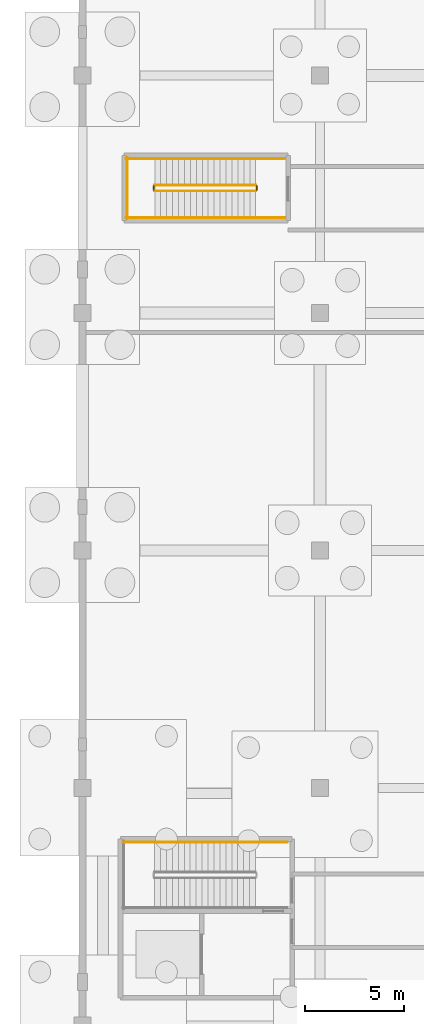
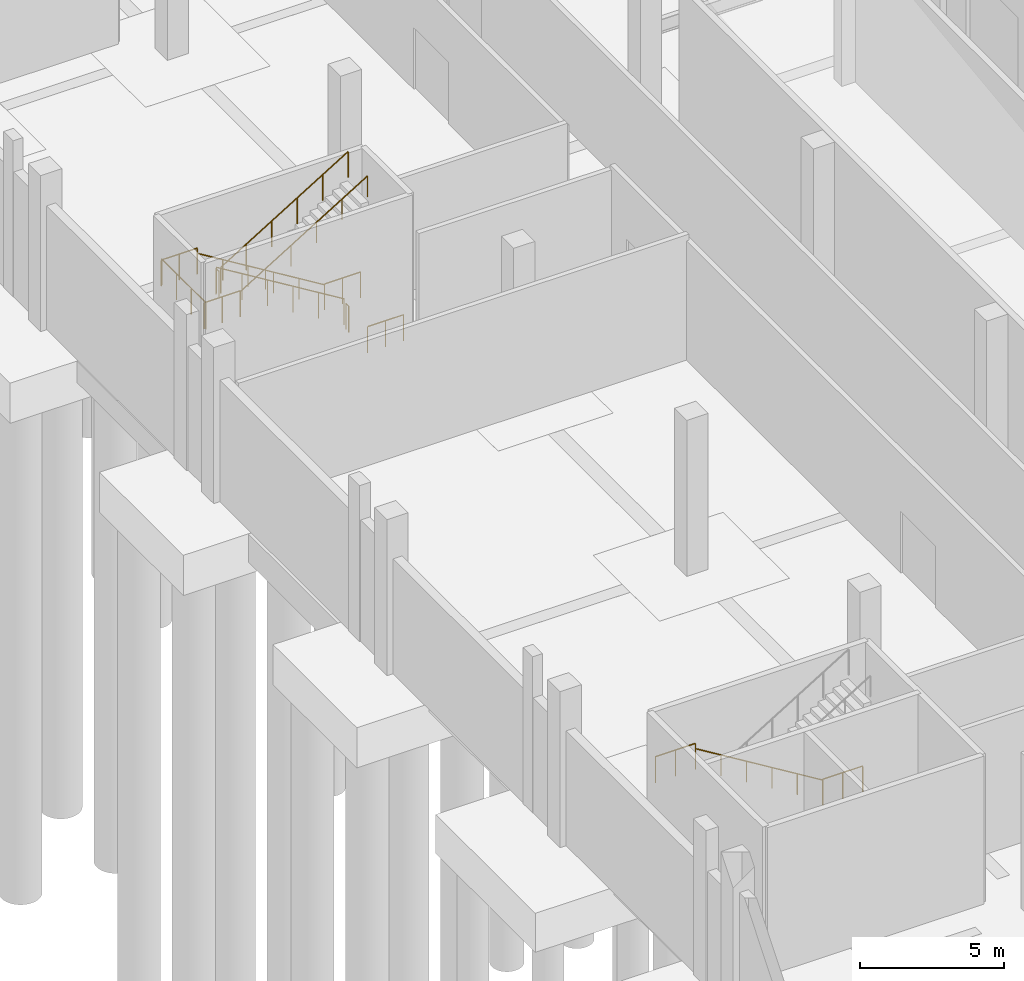
# One storey, part 104 of 117: 14 railings.
"""IFC4 building model written with IfcOpenShell, lengths in metres."""

import ifcopenshell
import ifcopenshell.guid

model = None  # the IFC model being written
_history = None  # IfcOwnerHistory: only IFC2X3 demands one
_inside = {}  # id of a spatial element -> (the spatial element, [elements in it])
_under = {}  # id of a project, library or spatial element -> (it, [spatial elements below it])
_declared = {}  # id of a project -> (the project, [libraries it declares])
_typed = {}  # id of a type object -> (the type object, [elements of that type])
_made_of = {}  # id of a material, layer set ... -> (it, [elements and type objects made of it])


def new_model(schema):
    """Start an empty IFC model of exactly this schema.

    Asked for "IFC4X3", IfcOpenShell would pick the latest addendum, in which some entities
    have other attributes; the version numbers below select the first issue.
    IFC2X3 requires an IfcOwnerHistory on every rooted entity: one is made here for all.
    """
    global model, _history
    if schema == "IFC4X3":
        model = ifcopenshell.file(schema_version=(4, 3, 0, 0))
    else:
        model = ifcopenshell.file(schema=schema)
    _inside.clear()
    _under.clear()
    _declared.clear()
    _typed.clear()
    _made_of.clear()
    _history = None
    if model.schema == "IFC2X3":
        org = make("IfcOrganization", Name="unknown")
        user = make(
            "IfcPersonAndOrganization",
            ThePerson=make("IfcPerson", FamilyName="unknown"),
            TheOrganization=org,
        )
        app = make(
            "IfcApplication",
            ApplicationDeveloper=org,
            Version="unknown",
            ApplicationFullName="unknown",
            ApplicationIdentifier="unknown",
        )
        _history = make(
            "IfcOwnerHistory",
            OwningUser=user,
            OwningApplication=app,
            ChangeAction="ADDED",
            CreationDate=0,
        )
    return model


def make(cls, **values):
    """One entity of the class cls with the attributes given. An attribute that is None is left unset."""
    return model.create_entity(
        cls, **{name: value for name, value in values.items() if value is not None}
    )


def rooted(cls, **values):
    """An entity with a GlobalId (a new one), such as an element, a storey or a relation."""
    return make(cls, GlobalId=ifcopenshell.guid.new(), OwnerHistory=_history, **values)


def si_unit(unit_type, name, prefix=None):
    """IfcSIUnit, for example si_unit("LENGTHUNIT", "METRE", prefix="MILLI")."""
    return make("IfcSIUnit", UnitType=unit_type, Prefix=prefix, Name=name)


def assignment(units):
    """IfcUnitAssignment: the units of a project."""
    return None if units is None else make("IfcUnitAssignment", Units=units)


def point(xyz):
    """IfcCartesianPoint."""
    return None if xyz is None else make("IfcCartesianPoint", Coordinates=xyz)


def direction(xyz):
    """IfcDirection."""
    return None if xyz is None else make("IfcDirection", DirectionRatios=xyz)


def frame(location, z_axis=None, x_axis=None):
    """IfcAxis2Placement3D, a coordinate frame: its origin and axes. An axis left out is left unset."""
    return make(
        "IfcAxis2Placement3D",
        Location=point(location),
        Axis=direction(z_axis),
        RefDirection=direction(x_axis),
    )


def frame_2d(location, x_axis=None):
    """IfcAxis2Placement2D, a coordinate frame in the plane: its origin and x axis."""
    return make(
        "IfcAxis2Placement2D", Location=point(location), RefDirection=direction(x_axis)
    )


def origin():
    """The frame at (0, 0, 0) with its axes left unset."""
    return frame((0.0, 0.0, 0.0))


def origin_2d():
    """The frame at (0, 0) in the plane with its x axis left unset."""
    return frame_2d((0.0, 0.0))


def place(relative_to, where):
    """IfcLocalPlacement: puts the frame where relative to a parent placement (None: the world)."""
    return make(
        "IfcLocalPlacement", PlacementRelTo=relative_to, RelativePlacement=where
    )


def context(
    kind, dimensions, precision=None, world=None, true_north=None, identifier=None
):
    """IfcGeometricRepresentationContext, for example the 3D "Model" context."""
    return make(
        "IfcGeometricRepresentationContext",
        ContextIdentifier=identifier,
        ContextType=kind,
        CoordinateSpaceDimension=dimensions,
        Precision=precision,
        WorldCoordinateSystem=world,
        TrueNorth=true_north,
    )


def subcontext(parent, identifier, kind, view, scale=None):
    """IfcGeometricRepresentationSubContext, for example "Body" below "Model"."""
    return make(
        "IfcGeometricRepresentationSubContext",
        ContextIdentifier=identifier,
        ContextType=kind,
        ParentContext=parent,
        TargetScale=scale,
        TargetView=view,
    )


def project(units=None, contexts=None):
    """IfcProject with its units and contexts."""
    return rooted(
        "IfcProject",
        Name="project",
        RepresentationContexts=contexts,
        UnitsInContext=assignment(units),
    )


def spatial(cls, under=None, at=None, **own):
    """A site, building, storey or space (cls), placed at a placement, below another one or the project."""
    s = rooted(cls, ObjectPlacement=at, **own)
    if under is not None:
        _under.setdefault(under.id(), (under, []))[1].append(s)
    return s


def profile(cls, at=None, kind="AREA", **sizes):
    """A parametric profile (cls). Its sizes go by their IFC names, for example OverallWidth=200.0."""
    return make(cls, ProfileType=kind, Position=at, **sizes)


def circle(**sizes):
    """IfcCircleProfileDef."""
    return profile("IfcCircleProfileDef", **sizes)


def extrude(swept, where, along, depth):
    """IfcExtrudedAreaSolid: the profile swept, set in the frame where, extruded along a direction by depth."""
    return make(
        "IfcExtrudedAreaSolid",
        SweptArea=swept,
        Position=where,
        ExtrudedDirection=direction(along),
        Depth=depth,
    )


def shape(context_of_items, identifier, shape_type, items):
    """IfcShapeRepresentation: the items that make up one representation, for example the "Body"."""
    return make(
        "IfcShapeRepresentation",
        ContextOfItems=context_of_items,
        RepresentationIdentifier=identifier,
        RepresentationType=shape_type,
        Items=items,
    )


def material(Name=None, Category=None):
    """IfcMaterial."""
    return make("IfcMaterial", Name=Name, Category=Category)


def made_of(thing, what):
    """Note that an element or type object is made of a material, layer set ...; save() writes the relation."""
    if what is not None:
        _made_of.setdefault(what.id(), (what, []))[1].append(thing)
    return thing


def type_object(cls, material=None, **own):
    """A type object (cls), such as IfcWallType, which elements share."""
    return made_of(rooted(cls, **own), material)


def element(
    cls,
    number,
    at=None,
    inside=None,
    cuts=None,
    type_object=None,
    material=None,
    context=None,
    identifier="Body",
    shape_type=None,
    held_by="IfcProductDefinitionShape",
    body=None,
    shapes=None,
    **own,
):
    """One element of the class cls, such as IfcWall. Its Tag is "e" and its number.

    at: its placement. inside: the storey or other place that contains it. cuts: it is an
    opening in that element (IfcRelVoidsElement). A single representation is given by context,
    identifier, shape_type and body (its items); several are given by shapes. held_by: the class
    of the entity that holds the representations. save() writes the other relations.
    """
    e = rooted(cls, Tag="e%d" % number, ObjectPlacement=at, **own)
    if body is not None:
        shapes = [shape(context, identifier, shape_type, body)]
    if shapes is not None:
        e.Representation = make(held_by, Representations=shapes)
    if inside is not None:
        _inside.setdefault(inside.id(), (inside, []))[1].append(e)
    if cuts is not None:
        rooted(
            "IfcRelVoidsElement", RelatingBuildingElement=cuts, RelatedOpeningElement=e
        )
    if type_object is not None:
        _typed.setdefault(type_object.id(), (type_object, []))[1].append(e)
    return made_of(e, material)


def aggregate(whole, parts):
    """IfcRelAggregates: a whole, such as a stair, and the parts it consists of."""
    return rooted("IfcRelAggregates", RelatingObject=whole, RelatedObjects=parts)


def save(model, path):
    """Write the relations noted so far, then the file.

    IfcRelAggregates (storeys below a building ...), IfcRelContainedInSpatialStructure (elements
    in a storey), IfcRelDefinesByType, IfcRelAssociatesMaterial and IfcRelDeclares: one each for
    every whole, place, type object, material and project.
    """
    for whole, parts in _under.values():
        aggregate(whole, parts)
    for where, things in _inside.values():
        rooted(
            "IfcRelContainedInSpatialStructure",
            RelatedElements=things,
            RelatingStructure=where,
        )
    for kind, things in _typed.values():
        rooted("IfcRelDefinesByType", RelatedObjects=things, RelatingType=kind)
    for what, things in _made_of.values():
        rooted("IfcRelAssociatesMaterial", RelatedObjects=things, RelatingMaterial=what)
    for by, libraries in _declared.values():
        rooted("IfcRelDeclares", RelatingContext=by, RelatedDefinitions=libraries)
    model.write(path)


model = new_model("IFC4")

# Units and contexts
model_context = context("Model", 3, precision=1e-05, world=origin(), true_north=direction((0.0, 1.0)))
body_context = subcontext(model_context, "Body", "Model", "MODEL_VIEW")
ifc_project = project(units=[si_unit("LENGTHUNIT", "METRE"), si_unit("AREAUNIT", "SQUARE_METRE"), si_unit("VOLUMEUNIT", "CUBIC_METRE"), si_unit("PLANEANGLEUNIT", "RADIAN"), si_unit("MASSUNIT", "GRAM", prefix="KILO")], contexts=[model_context])

# Site, building, storey
site_placement = place(None, origin())
site = spatial("IfcSite", under=ifc_project, at=site_placement, CompositionType="ELEMENT")
building_placement = place(site_placement, origin())
building = spatial("IfcBuilding", under=site, at=building_placement, Name="Kamomehara Wholesale Market", CompositionType="ELEMENT")
storey_placement = place(building_placement, origin())
storey = spatial("IfcBuildingStorey", under=building, at=storey_placement, Name="L00", CompositionType="ELEMENT", Elevation=0.0)

# Railings
ifc_material_1 = material(Name="Steel SN400B", Category="steel")
railing_type_1 = type_object("IfcRailingType", Name="RAL-HND-900", PredefinedType="HANDRAIL", material=ifc_material_1)
for number, where, name in (
    (1, (8.75, 69.25, 0.183349609375), "L00 ST-03 stair handrail 1"),
    (2, (8.760009765625, 103.800048828125, 0.183349609375), "L00 ST-15 stair handrail 1"),
):
    element("IfcRailing", number, at=place(storey_placement, frame(where)), inside=storey, type_object=railing_type_1, Name=name, PredefinedType="HANDRAIL", context=body_context, shape_type="SweptSolid", body=[
        extrude(circle(Radius=0.02392578125, at=origin_2d()), frame((0.0, 0.0, 0.8759765625), z_axis=(-0.853283853024, 0.0, 0.521446705012), x_axis=(0.0, -1.0, 0.0)), (0.0, 0.0, 1.0), 5.97705078125),
        extrude(circle(Radius=0.02099609375, at=origin_2d()), origin(), (0.0, 0.0, 1.0), 0.851806640625),
        extrude(circle(Radius=0.02099609375, at=origin_2d()), frame((-1.02001953125, 0.0, 0.623291015625)), (0.0, 0.0, 1.0), 0.851806640625),
        extrude(circle(Radius=0.02099609375, at=origin_2d()), frame((-2.0400390625, 0.0, 1.24658203125)), (0.0, 0.0, 1.0), 0.851806640625),
        extrude(circle(Radius=0.02099609375, at=origin_2d()), frame((-3.06005859375, 0.0, 1.8701171875)), (0.0, 0.0, 1.0), 0.851806640625),
        extrude(circle(Radius=0.02099609375, at=origin_2d()), frame((-4.080078125, 0.0, 2.493408203125)), (0.0, 0.0, 1.0), 0.851806640625),
        extrude(circle(Radius=0.02099609375, at=origin_2d()), frame((-5.10009765625, 0.0, 3.11669921875)), (0.0, 0.0, 1.0), 0.851806640625),
    ])
railing_1_placement = place(storey_placement, frame((3.659912109375, 100.820068359375, 3.4833984375)))
element("IfcRailing", 3, at=railing_1_placement, inside=storey, type_object=railing_type_1, Name="L00 ST-15 stair handrail 2", PredefinedType="HANDRAIL", context=body_context, shape_type="SweptSolid", body=[
    extrude(circle(Radius=0.02392578125, at=origin_2d()), frame((0.0, 0.0, 0.8759765625), z_axis=(0.853283853024, 0.0, 0.521446705012), x_axis=(0.0, 1.0, 0.0)), (0.0, 0.0, 1.0), 5.97705078125),
    extrude(circle(Radius=0.02099609375, at=origin_2d()), origin(), (0.0, 0.0, 1.0), 0.851806640625),
    extrude(circle(Radius=0.02099609375, at=origin_2d()), frame((1.02001953125, 0.0, 0.623291015625)), (0.0, 0.0, 1.0), 0.851806640625),
    extrude(circle(Radius=0.02099609375, at=origin_2d()), frame((2.0400390625, 0.0, 1.24658203125)), (0.0, 0.0, 1.0), 0.851806640625),
    extrude(circle(Radius=0.02099609375, at=origin_2d()), frame((3.06005859375, 0.0, 1.8701171875)), (0.0, 0.0, 1.0), 0.851806640625),
    extrude(circle(Radius=0.02099609375, at=origin_2d()), frame((4.080078125, 0.0, 2.493408203125)), (0.0, 0.0, 1.0), 0.851806640625),
    extrude(circle(Radius=0.02099609375, at=origin_2d()), frame((5.10009765625, 0.0, 3.11669921875)), (0.0, 0.0, 1.0), 0.851806640625),
])
ifc_material_2 = material(Name="Steel SN400B", Category="steel")
railing_type_2 = type_object("IfcRailingType", Name="RAL-INT-1100", PredefinedType="BALUSTRADE", material=ifc_material_2)
railing_2_placement = place(storey_placement, frame((3.64990234375, 69.25, 3.300048828125)))
element("IfcRailing", 4, at=railing_2_placement, inside=storey, type_object=railing_type_2, Name="L00 ST-03 stair guard 3", PredefinedType="BALUSTRADE", context=body_context, shape_type="SweptSolid", body=[
    extrude(circle(Radius=0.02392578125, at=origin_2d()), frame((0.0, 0.0, 1.09619140625), z_axis=(-1.0, 0.0, 0.0), x_axis=(0.0, -1.0, 0.0)), (0.0, 0.0, 1.0), 1.599853515625),
    extrude(circle(Radius=0.02099609375, at=origin_2d()), origin(), (0.0, 0.0, 1.0), 1.072021484375),
    extrude(circle(Radius=0.02099609375, at=origin_2d()), frame((-0.7998046875, 0.0, 0.0)), (0.0, 0.0, 1.0), 1.072021484375),
    extrude(circle(Radius=0.02099609375, at=origin_2d()), frame((-1.599853515625, 0.0, 0.0)), (0.0, 0.0, 1.0), 1.072021484375),
])
railing_3_placement = place(storey_placement, frame((10.35009765625, 69.25, 0.0)))
element("IfcRailing", 5, at=railing_3_placement, inside=storey, type_object=railing_type_2, Name="L00 ST-03 stair guard 8", PredefinedType="BALUSTRADE", context=body_context, shape_type="SweptSolid", body=[
    extrude(circle(Radius=0.02392578125, at=origin_2d()), frame((0.0, 0.0, 1.09619140625), z_axis=(-1.0, 0.0, 0.0), x_axis=(0.0, -1.0, 0.0)), (0.0, 0.0, 1.0), 1.60009765625),
    extrude(circle(Radius=0.02099609375, at=origin_2d()), origin(), (0.0, 0.0, 1.0), 1.072021484375),
    extrude(circle(Radius=0.02099609375, at=origin_2d()), frame((-0.800048828125, 0.0, 0.0)), (0.0, 0.0, 1.0), 1.072021484375),
    extrude(circle(Radius=0.02099609375, at=origin_2d()), frame((-1.60009765625, 0.0, 0.0)), (0.0, 0.0, 1.0), 1.072021484375),
])
railing_4_placement = place(storey_placement, frame((8.760009765625, 102.4599609375, 0.183349609375)))
element("IfcRailing", 6, at=railing_4_placement, inside=storey, type_object=railing_type_2, Name="L00 ST-15 stair guard 1", PredefinedType="BALUSTRADE", context=body_context, shape_type="SweptSolid", body=[
    extrude(circle(Radius=0.02392578125, at=origin_2d()), frame((0.0, 0.0, 1.09619140625), z_axis=(-0.853283853024, 0.0, 0.521446705012), x_axis=(0.0, -1.0, 0.0)), (0.0, 0.0, 1.0), 5.97705078125),
    extrude(circle(Radius=0.02099609375, at=origin_2d()), origin(), (0.0, 0.0, 1.0), 1.072021484375),
    extrude(circle(Radius=0.02099609375, at=origin_2d()), frame((-1.02001953125, 0.0, 0.623291015625)), (0.0, 0.0, 1.0), 1.072021484375),
    extrude(circle(Radius=0.02099609375, at=origin_2d()), frame((-2.0400390625, 0.0, 1.24658203125)), (0.0, 0.0, 1.0), 1.072021484375),
    extrude(circle(Radius=0.02099609375, at=origin_2d()), frame((-3.06005859375, 0.0, 1.8701171875)), (0.0, 0.0, 1.0), 1.072021484375),
    extrude(circle(Radius=0.02099609375, at=origin_2d()), frame((-4.080078125, 0.0, 2.493408203125)), (0.0, 0.0, 1.0), 1.072021484375),
    extrude(circle(Radius=0.02099609375, at=origin_2d()), frame((-5.10009765625, 0.0, 3.11669921875)), (0.0, 0.0, 1.0), 1.072021484375),
])
railing_5_placement = place(storey_placement, frame((3.610107421875, 102.409912109375, 3.300048828125)))
element("IfcRailing", 7, at=railing_5_placement, inside=storey, type_object=railing_type_2, Name="L00 ST-15 stair guard 2", PredefinedType="BALUSTRADE", context=body_context, shape_type="SweptSolid", body=[
    extrude(circle(Radius=0.02392578125, at=origin_2d()), frame((0.0, 0.0, 1.09619140625), z_axis=(0.0, -1.0, 0.0), x_axis=(1.0, 0.0, 0.0)), (0.0, 0.0, 1.0), 0.199951171875),
    extrude(circle(Radius=0.02099609375, at=origin_2d()), origin(), (0.0, 0.0, 1.0), 1.072021484375),
    extrude(circle(Radius=0.02099609375, at=origin_2d()), frame((0.0, -0.199951171875, 0.0)), (0.0, 0.0, 1.0), 1.072021484375),
])
for number, where, name in (
    (8, (3.659912109375, 103.800048828125, 3.300048828125), "L00 ST-15 stair guard 3"),
    (9, (3.659912109375, 100.820068359375, 3.300048828125), "L00 ST-15 stair guard 4"),
):
    element("IfcRailing", number, at=place(storey_placement, frame(where)), inside=storey, type_object=railing_type_2, Name=name, PredefinedType="BALUSTRADE", context=body_context, shape_type="SweptSolid", body=[
        extrude(circle(Radius=0.02392578125, at=origin_2d()), frame((0.0, 0.0, 1.09619140625), z_axis=(-1.0, 0.0, 0.0), x_axis=(0.0, -1.0, 0.0)), (0.0, 0.0, 1.0), 1.43994140625),
        extrude(circle(Radius=0.02099609375, at=origin_2d()), origin(), (0.0, 0.0, 1.0), 1.072021484375),
        extrude(circle(Radius=0.02099609375, at=origin_2d()), frame((-0.719970703125, 0.0, 0.0)), (0.0, 0.0, 1.0), 1.072021484375),
        extrude(circle(Radius=0.02099609375, at=origin_2d()), frame((-1.43994140625, 0.0, 0.0)), (0.0, 0.0, 1.0), 1.072021484375),
    ])
railing_6_placement = place(storey_placement, frame((2.27001953125, 103.85009765625, 3.300048828125)))
element("IfcRailing", 10, at=railing_6_placement, inside=storey, type_object=railing_type_2, Name="L00 ST-15 stair guard 5", PredefinedType="BALUSTRADE", context=body_context, shape_type="SweptSolid", body=[
    extrude(circle(Radius=0.02392578125, at=origin_2d()), frame((0.0, 0.0, 1.09619140625), z_axis=(0.0, -1.0, 0.0), x_axis=(1.0, 0.0, 0.0)), (0.0, 0.0, 1.0), 3.080078125),
    extrude(circle(Radius=0.02099609375, at=origin_2d()), origin(), (0.0, 0.0, 1.0), 1.072021484375),
    extrude(circle(Radius=0.02099609375, at=origin_2d()), frame((0.0, -1.026611328125, 0.0)), (0.0, 0.0, 1.0), 1.072021484375),
    extrude(circle(Radius=0.02099609375, at=origin_2d()), frame((0.0, -2.053466796875, 0.0)), (0.0, 0.0, 1.0), 1.072021484375),
    extrude(circle(Radius=0.02099609375, at=origin_2d()), frame((0.0, -3.080078125, 0.0)), (0.0, 0.0, 1.0), 1.072021484375),
])
railing_7_placement = place(storey_placement, frame((3.659912109375, 102.159912109375, 3.4833984375)))
element("IfcRailing", 11, at=railing_7_placement, inside=storey, type_object=railing_type_2, Name="L00 ST-15 stair guard 6", PredefinedType="BALUSTRADE", context=body_context, shape_type="SweptSolid", body=[
    extrude(circle(Radius=0.02392578125, at=origin_2d()), frame((0.0, 0.0, 1.09619140625), z_axis=(0.853283853024, 0.0, 0.521446705012), x_axis=(0.0, 1.0, 0.0)), (0.0, 0.0, 1.0), 5.97705078125),
    extrude(circle(Radius=0.02099609375, at=origin_2d()), origin(), (0.0, 0.0, 1.0), 1.072021484375),
    extrude(circle(Radius=0.02099609375, at=origin_2d()), frame((1.02001953125, 0.0, 0.623291015625)), (0.0, 0.0, 1.0), 1.072021484375),
    extrude(circle(Radius=0.02099609375, at=origin_2d()), frame((2.0400390625, 0.0, 1.24658203125)), (0.0, 0.0, 1.0), 1.072021484375),
    extrude(circle(Radius=0.02099609375, at=origin_2d()), frame((3.06005859375, 0.0, 1.8701171875)), (0.0, 0.0, 1.0), 1.072021484375),
    extrude(circle(Radius=0.02099609375, at=origin_2d()), frame((4.080078125, 0.0, 2.493408203125)), (0.0, 0.0, 1.0), 1.072021484375),
    extrude(circle(Radius=0.02099609375, at=origin_2d()), frame((5.10009765625, 0.0, 3.11669921875)), (0.0, 0.0, 1.0), 1.072021484375),
])
railing_8_placement = place(storey_placement, frame((8.81005859375, 102.409912109375, 0.0)))
element("IfcRailing", 12, at=railing_8_placement, inside=storey, type_object=railing_type_2, Name="L00 ST-15 stair guard 7", PredefinedType="BALUSTRADE", context=body_context, shape_type="SweptSolid", body=[
    extrude(circle(Radius=0.02392578125, at=origin_2d()), frame((0.0, 0.0, 1.09619140625), z_axis=(0.0, -1.0, 0.0), x_axis=(1.0, 0.0, 0.0)), (0.0, 0.0, 1.0), 0.199951171875),
    extrude(circle(Radius=0.02099609375, at=origin_2d()), origin(), (0.0, 0.0, 1.0), 1.072021484375),
    extrude(circle(Radius=0.02099609375, at=origin_2d()), frame((0.0, -0.199951171875, 0.0)), (0.0, 0.0, 1.0), 1.072021484375),
])
for number, where, name in (
    (13, (10.199951171875, 103.800048828125, 0.0), "L00 ST-15 stair guard 8"),
    (14, (10.199951171875, 100.820068359375, 0.0), "L00 ST-15 stair guard 9"),
):
    element("IfcRailing", number, at=place(storey_placement, frame(where)), inside=storey, type_object=railing_type_2, Name=name, PredefinedType="BALUSTRADE", context=body_context, shape_type="SweptSolid", body=[
        extrude(circle(Radius=0.02392578125, at=origin_2d()), frame((0.0, 0.0, 1.09619140625), z_axis=(-1.0, 0.0, 0.0), x_axis=(0.0, -1.0, 0.0)), (0.0, 0.0, 1.0), 1.43994140625),
        extrude(circle(Radius=0.02099609375, at=origin_2d()), origin(), (0.0, 0.0, 1.0), 1.072021484375),
        extrude(circle(Radius=0.02099609375, at=origin_2d()), frame((-0.719970703125, 0.0, 0.0)), (0.0, 0.0, 1.0), 1.072021484375),
        extrude(circle(Radius=0.02099609375, at=origin_2d()), frame((-1.43994140625, 0.0, 0.0)), (0.0, 0.0, 1.0), 1.072021484375),
    ])

save(model, "model.ifc")
